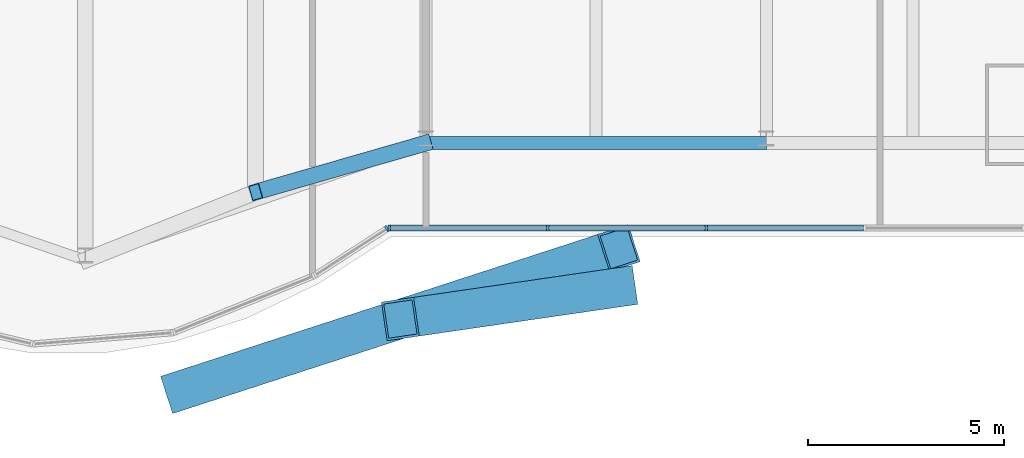
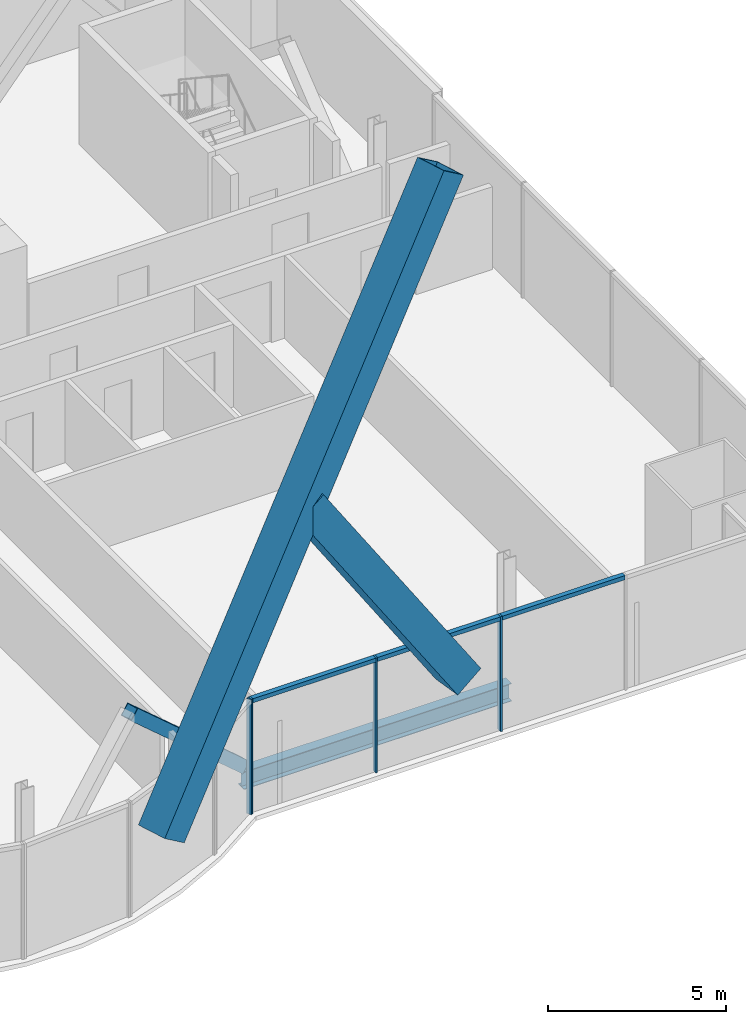
# One storey, part 10 of 23: 10 members, 1 beam, 2 elements without a shape of their own.
"""IFC4 building model written with IfcOpenShell, lengths in metres."""

from ifc_helpers import new_model, si_unit, direction, frame, origin, origin_2d, place, context, subcontext, project, spatial, rectangle, hollow_rectangle, i_section, extrude, material, material_profile, profile_set, type_object, element, aggregate, save


model = new_model("IFC4")

# Units and contexts
model_context = context("Model", 3, precision=1e-05, world=origin(), true_north=direction((0.0, 1.0)))
body_context = subcontext(model_context, "Body", "Model", "MODEL_VIEW")
ifc_project = project(units=[si_unit("LENGTHUNIT", "METRE"), si_unit("AREAUNIT", "SQUARE_METRE"), si_unit("VOLUMEUNIT", "CUBIC_METRE"), si_unit("PLANEANGLEUNIT", "RADIAN"), si_unit("MASSUNIT", "GRAM", prefix="KILO")], contexts=[model_context])

# Site, building, storey
site_placement = place(None, origin())
site = spatial("IfcSite", under=ifc_project, at=site_placement, CompositionType="ELEMENT")
building_placement = place(site_placement, origin())
building = spatial("IfcBuilding", under=site, at=building_placement, Name="Bicima Exchange Tower", CompositionType="ELEMENT")
storey_placement = place(building_placement, frame((0.0, 0.0, 152.699951171875)))
storey = spatial("IfcBuildingStorey", under=building, at=storey_placement, Name="L33", CompositionType="ELEMENT", Elevation=152.699951171875)

# Members
ifc_material_1 = material(Name="Steel ASTM A572 Gr 50", Category="steel")
ifc_material_profile_1 = material_profile(ifc_material_1, hollow_rectangle(XDim=1.0, YDim=1.0, WallThickness=0.06005859375, at=origin_2d()))
ifc_profile_set_1 = profile_set([ifc_material_profile_1], Name="Steel ASTM A572 Gr 50")
member_type_1 = type_object("IfcMemberType", Name="Exo mega brace BOX 1000x1000x60", PredefinedType="BRACE", material=ifc_profile_set_1)
member_1_placement = place(storey_placement, frame((11.166748046875, -39.32080078125, 3.63330078125), z_axis=(0.544086148819, 0.176710825587, 0.820209452995), x_axis=(-0.308900809412, 0.951094259232, 0.0)))
element("IfcMember", 1, at=member_1_placement, inside=storey, type_object=member_type_1, Name="Exo mega brace front", PredefinedType="BRACE", context=body_context, shape_type="SweptSolid", body=[
    extrude(hollow_rectangle(XDim=1.0, YDim=1.0, WallThickness=0.06005859375, at=origin_2d()), origin(), (0.0, 0.0, 1.0), 20.5234375),
])
member_2_placement = place(storey_placement, frame((22.333251953125, -36.69580078125, 3.63330078125), z_axis=(-0.551009731467, -0.080089044007, 0.830646748539), x_axis=(0.143838142422, -0.989601227154, 0.0)))
element("IfcMember", 2, at=member_2_placement, inside=storey, type_object=member_type_1, Name="Exo mega brace front", PredefinedType="BRACE", context=body_context, shape_type="SweptSolid", body=[
    extrude(hollow_rectangle(XDim=1.0, YDim=1.0, WallThickness=0.06005859375, at=origin_2d()), origin(), (0.0, 0.0, 1.0), 10.1328125),
])

# Beam
ifc_material_2 = material(Name="Steel ASTM A992 Gr 50", Category="steel")
ifc_material_profile_2 = material_profile(ifc_material_2, i_section(OverallWidth=0.3251953125, OverallDepth=0.612060546875, WebThickness=0.0126953125, FlangeThickness=0.01904296875, at=origin_2d()))
ifc_profile_set_2 = profile_set([ifc_material_profile_2], Name="Steel ASTM A992 Gr 50")
beam_type = type_object("IfcBeamType", Name="Front girder W24x104", PredefinedType="BEAM", material=ifc_profile_set_2)
beam_placement = place(storey_placement, frame((17.39990234375, -33.011962890625, -0.4560546875), z_axis=(1.0, 0.0, 0.0), x_axis=(0.0, 1.0, 0.0)))
element("IfcBeam", 3, at=beam_placement, inside=storey, type_object=beam_type, Name="Front girder", PredefinedType="BEAM", context=body_context, shape_type="SweptSolid", body=[
    extrude(i_section(OverallWidth=0.3251953125, OverallDepth=0.612060546875, WebThickness=0.0126953125, FlangeThickness=0.01904296875, at=origin_2d()), origin(), (0.0, 0.0, 1.0), 8.7001953125),
])

# Curtain wall, member
ifc_material_3 = material(Name="Anodised bronze aluminium", Category="aluminium")
curtain_wall_type = type_object("IfcCurtainWallType", Name="Front glass wall", PredefinedType="NOTDEFINED", material=ifc_material_3)
curtain_wall_1_placement = place(storey_placement, origin())
curtain_wall_1 = element("IfcCurtainWall", 4, at=curtain_wall_1_placement, inside=storey, type_object=curtain_wall_type, Name="Front glass wall L33 run 11", PredefinedType="NOTDEFINED")
ifc_material_profile_3 = material_profile(ifc_material_3, rectangle(XDim=0.159912109375, YDim=0.06005859375, at=origin_2d()))
ifc_profile_set_3 = profile_set([ifc_material_profile_3], Name="Anodised bronze aluminium")
member_type_2 = type_object("IfcMemberType", Name="Front glass wall mullion 60 x 160", PredefinedType="MULLION", material=ifc_profile_set_3)
member_3_placement = place(storey_placement, frame((16.406982421875, -35.1982421875, 0.0), z_axis=(0.0, 0.0, 1.0), x_axis=(-0.542909183079, 0.839791413941, 0.0)))
member_3 = element("IfcMember", 5, at=member_3_placement, type_object=member_type_2, Name="Front glass wall mullion 2", PredefinedType="MULLION", context=body_context, shape_type="SweptSolid", body=[
    extrude(rectangle(XDim=0.159912109375, YDim=0.06005859375, at=origin_2d()), origin(), (0.0, 0.0, 1.0), 3.949951171875),
])
aggregate(curtain_wall_1, [member_3])

# Curtain wall, members
curtain_wall_2_placement = place(storey_placement, origin())
curtain_wall_2 = element("IfcCurtainWall", 6, at=curtain_wall_2_placement, inside=storey, type_object=curtain_wall_type, Name="Front glass wall L33 run 16", PredefinedType="NOTDEFINED")
member_4_placement = place(storey_placement, frame((16.462158203125, -35.181884765625, 0.0), z_axis=(0.0, 0.0, 1.0), x_axis=(0.0, 1.0, 0.0)))
member_4 = element("IfcMember", 7, at=member_4_placement, type_object=member_type_2, Name="Front glass wall mullion 1", PredefinedType="MULLION", context=body_context, shape_type="SweptSolid", body=[
    extrude(rectangle(XDim=0.159912109375, YDim=0.06005859375, at=origin_2d()), origin(), (0.0, 0.0, 1.0), 3.949951171875),
])
member_5_placement = place(storey_placement, frame((20.51171875, -35.181884765625, 0.0), z_axis=(0.0, 0.0, 1.0), x_axis=(0.0, 1.0, 0.0)))
member_5 = element("IfcMember", 8, at=member_5_placement, type_object=member_type_2, Name="Front glass wall mullion 2", PredefinedType="MULLION", context=body_context, shape_type="SweptSolid", body=[
    extrude(rectangle(XDim=0.159912109375, YDim=0.06005859375, at=origin_2d()), origin(), (0.0, 0.0, 1.0), 3.949951171875),
])
member_6_placement = place(storey_placement, frame((24.56103515625, -35.181884765625, 0.0), z_axis=(0.0, 0.0, 1.0), x_axis=(0.0, 1.0, 0.0)))
member_6 = element("IfcMember", 9, at=member_6_placement, type_object=member_type_2, Name="Front glass wall mullion 3", PredefinedType="MULLION", context=body_context, shape_type="SweptSolid", body=[
    extrude(rectangle(XDim=0.159912109375, YDim=0.06005859375, at=origin_2d()), origin(), (0.0, 0.0, 1.0), 3.949951171875),
])
ifc_material_profile_4 = material_profile(ifc_material_3, rectangle(XDim=0.159912109375, YDim=0.139892578125, at=origin_2d()))
ifc_profile_set_4 = profile_set([ifc_material_profile_4], Name="Anodised bronze aluminium")
member_type_3 = type_object("IfcMemberType", Name="Front glass wall transom 140 x 160", PredefinedType="USERDEFINED", material=ifc_profile_set_4)
member_7_placement = place(storey_placement, frame((16.4921875, -35.181884765625, 3.880126953125), z_axis=(1.0, 0.0, 0.0), x_axis=(0.0, 1.0, 0.0)))
member_7 = element("IfcMember", 10, at=member_7_placement, type_object=member_type_3, Name="Front glass wall transom 1.1", ObjectType="TRANSOM", PredefinedType="USERDEFINED", context=body_context, shape_type="SweptSolid", body=[
    extrude(rectangle(XDim=0.159912109375, YDim=0.139892578125, at=origin_2d()), origin(), (0.0, 0.0, 1.0), 3.989501953125),
])
member_8_placement = place(storey_placement, frame((20.54150390625, -35.181884765625, 3.880126953125), z_axis=(1.0, 0.0, 0.0), x_axis=(0.0, 1.0, 0.0)))
member_8 = element("IfcMember", 11, at=member_8_placement, type_object=member_type_3, Name="Front glass wall transom 2.1", ObjectType="TRANSOM", PredefinedType="USERDEFINED", context=body_context, shape_type="SweptSolid", body=[
    extrude(rectangle(XDim=0.159912109375, YDim=0.139892578125, at=origin_2d()), origin(), (0.0, 0.0, 1.0), 3.989501953125),
])
member_9_placement = place(storey_placement, frame((24.591064453125, -35.181884765625, 3.880126953125), z_axis=(1.0, 0.0, 0.0), x_axis=(0.0, 1.0, 0.0)))
member_9 = element("IfcMember", 12, at=member_9_placement, type_object=member_type_3, Name="Front glass wall transom 3.1", ObjectType="TRANSOM", PredefinedType="USERDEFINED", context=body_context, shape_type="SweptSolid", body=[
    extrude(rectangle(XDim=0.159912109375, YDim=0.139892578125, at=origin_2d()), origin(), (0.0, 0.0, 1.0), 3.989501953125),
])
aggregate(curtain_wall_2, [member_4, member_5, member_6, member_7, member_8, member_9])

# Member
ifc_material_profile_5 = material_profile(ifc_material_1, hollow_rectangle(XDim=0.406494140625, YDim=0.406494140625, WallThickness=0.017822265625, at=origin_2d()))
ifc_profile_set_5 = profile_set([ifc_material_profile_5], Name="Steel ASTM A572 Gr 50")
member_type_4 = type_object("IfcMemberType", Name="Mega brace HSS16x16x3/4", PredefinedType="BRACE", material=ifc_profile_set_5)
member_10_placement = place(storey_placement, frame((17.39990234375, -33.011962890625, 0.0), z_axis=(-0.71224719859, -0.204915481842, 0.671352048781), x_axis=(0.27648739579, -0.961017544049, 0.0)))
element("IfcMember", 13, at=member_10_placement, inside=storey, type_object=member_type_4, Name="Mega brace front", PredefinedType="BRACE", context=body_context, shape_type="SweptSolid", body=[
    extrude(hollow_rectangle(XDim=0.406494140625, YDim=0.406494140625, WallThickness=0.017822265625, at=origin_2d()), origin(), (0.0, 0.0, 1.0), 6.107177734375),
])

save(model, "model.ifc")
